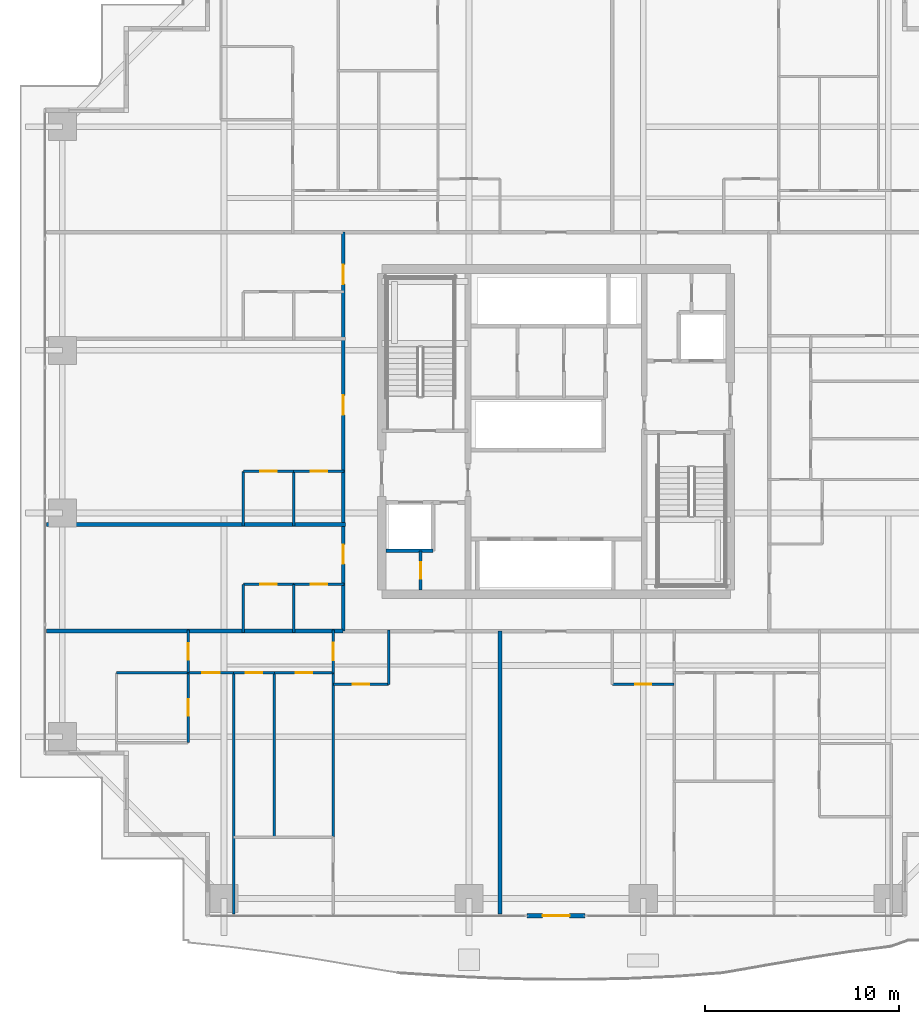
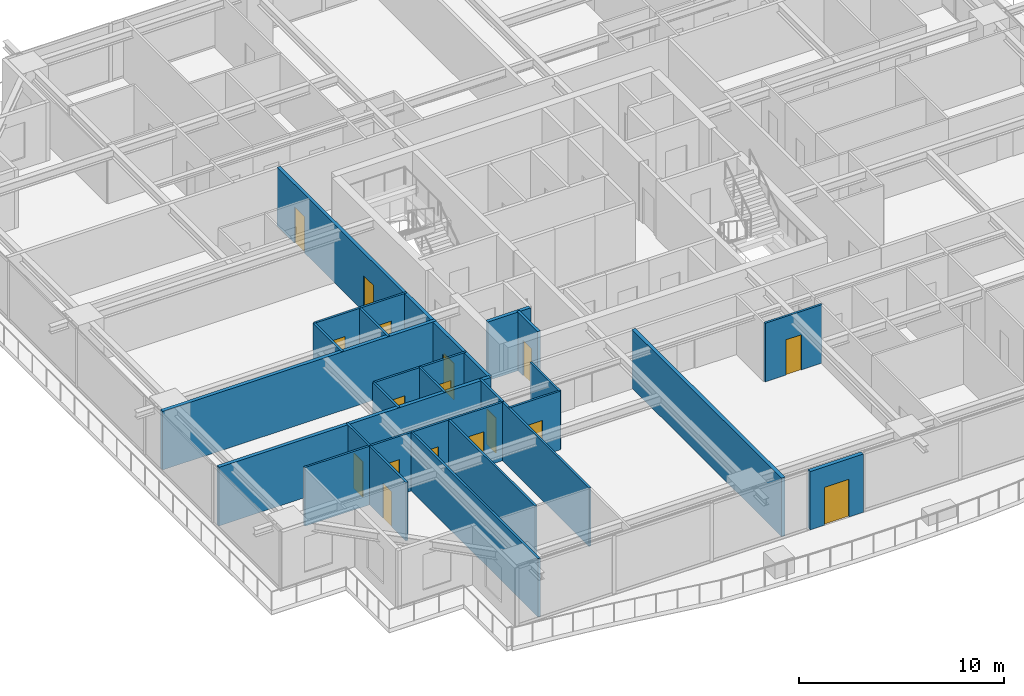
# One storey, part 27 of 39: 28 walls, 17 doors, 17 openings.
"""IFC4 building model written with IfcOpenShell, lengths in metres."""

from ifc_helpers import new_model, si_unit, direction, frame, frame_2d, origin, place, context, subcontext, project, spatial, rectangle, extrude, source, transform, mapped, material, layer, layer_set, type_object, element, fill, save


model = new_model("IFC4")

# Units and contexts
model_context = context("Model", 3, precision=1e-05, world=origin(), true_north=direction((0.0, 1.0)))
body_context = subcontext(model_context, "Body", "Model", "MODEL_VIEW")
ifc_project = project(units=[si_unit("LENGTHUNIT", "METRE"), si_unit("AREAUNIT", "SQUARE_METRE"), si_unit("VOLUMEUNIT", "CUBIC_METRE"), si_unit("PLANEANGLEUNIT", "RADIAN"), si_unit("MASSUNIT", "GRAM", prefix="KILO")], contexts=[model_context])

# Site, building, storey
site_placement = place(None, origin())
site = spatial("IfcSite", under=ifc_project, at=site_placement, CompositionType="ELEMENT")
building_placement = place(site_placement, origin())
building = spatial("IfcBuilding", under=site, at=building_placement, Name="Serunith Strait Residences", CompositionType="ELEMENT")
storey_placement = place(building_placement, frame((0.0, 0.0, 79.199951171875)))
storey = spatial("IfcBuildingStorey", under=building, at=storey_placement, Name="L19", CompositionType="ELEMENT", Elevation=79.199951171875)

# Wall, opening, door
ifc_material_1 = material(Name="Pale-Champagne Aluminium Insulated Panel", Category="aluminium")
ifc_layer_1 = layer(ifc_material_1, 0.219970703125, Name="Pale-Champagne Aluminium Insulated Panel")
ifc_layer_set_1 = layer_set([ifc_layer_1], Name="Pale-Champagne Aluminium Insulated Panel")
wall_type_1 = type_object("IfcWallType", Name="EW-ALUM-220", PredefinedType="ELEMENTEDWALL", material=ifc_layer_set_1)
wall_1_placement = place(storey_placement, frame((30.89990234375, 0.199951171875, 0.0), z_axis=(0.0, 0.0, 1.0), x_axis=(1.0, 0.0, 0.0)))
wall_1 = element("IfcWall", 1, at=wall_1_placement, inside=storey, type_object=wall_type_1, Name="L19 S Facade Pier Wall", PredefinedType="ELEMENTEDWALL", context=body_context, shape_type="SweptSolid", body=[
    extrude(rectangle(XDim=3.0, YDim=0.219970703125, at=frame_2d((1.5, 0.0))), origin(), (0.0, 0.0, 1.0), 3.47509765625),
])
opening_1_placement = place(wall_1_placement, frame((0.800048828125, 0.0, 0.0)))
opening_1 = element("IfcOpeningElement", 2, at=opening_1_placement, cuts=wall_1, Name="Opening ED-04", PredefinedType="OPENING", context=body_context, shape_type="SweptSolid", body=[
    extrude(rectangle(XDim=1.39990234375, YDim=2.25, at=frame_2d((0.699951171875, 1.125))), frame((0.0, 0.1201171875, 0.0), z_axis=(0.0, -1.0, 0.0), x_axis=(1.0, 0.0, 0.0)), (0.0, 0.0, 1.0), 0.239990234375),
])
ifc_material_2 = material(Name="Thermally-Broken Aluminium Sliding Balcony Door", Category="aluminium")
door_type_1 = type_object("IfcDoorType", Name="ED-BALC-1400", OperationType="NOTDEFINED", PredefinedType="DOOR", material=ifc_material_2)
shared_shape_1 = source(origin(), body_context, "Body", "SweptSolid", [
    extrude(rectangle(XDim=1.39990234375, YDim=2.25, at=frame_2d((0.699951171875, 1.125))), frame((0.0, 0.02490234375, 0.0), z_axis=(0.0, -1.0, 0.0), x_axis=(1.0, 0.0, 0.0)), (0.0, 0.0, 1.0), 0.050048828125),
])
door_1_placement = place(opening_1_placement, origin())
door_1 = element("IfcDoor", 3, at=door_1_placement, inside=storey, type_object=door_type_1, Name="L19 S Vertical-Forest Balcony Door", OperationType="SLIDING_TO_LEFT", OverallHeight=2.25, OverallWidth=1.39990234375, PredefinedType="DOOR", context=body_context, shape_type="MappedRepresentation", body=[
    mapped(shared_shape_1, transform((0.0, 0.0, 0.0), scale=1.0)),
])
fill(opening_1, door_1)

ifc_material_3 = material(Name="Fire-rated masonry service closet wall", Category="masonry")
ifc_layer_2 = layer(ifc_material_3, 0.14990234375, Name="Fire-rated masonry service closet wall")
ifc_layer_set_2 = layer_set([ifc_layer_2], Name="Fire-rated masonry service closet wall")
wall_type_2 = type_object("IfcWallType", Name="IW-BOH-150", PredefinedType="PARTITIONING", material=ifc_layer_set_2)
wall_2_placement = place(storey_placement, frame((25.39990234375, 17.02490234375, 0.0), z_axis=(0.0, 0.0, 1.0), x_axis=(0.0, 1.0, 0.0)))
wall_2 = element("IfcWall", 4, at=wall_2_placement, inside=storey, type_object=wall_type_2, Name="L19 Partition Wall 012", PredefinedType="PARTITIONING", context=body_context, shape_type="SweptSolid", body=[
    extrude(rectangle(XDim=2.025146484375, YDim=0.14990234375, at=frame_2d((1.0126953125, 0.0))), origin(), (0.0, 0.0, 1.0), 3.489990234375),
])
opening_2_placement = place(wall_2_placement, frame((0.587890625, 0.0, 0.0)))
opening_2 = element("IfcOpeningElement", 5, at=opening_2_placement, cuts=wall_2, Name="Opening FD-850", PredefinedType="OPENING", context=body_context, shape_type="SweptSolid", body=[
    extrude(rectangle(XDim=0.85009765625, YDim=2.10009765625, at=frame_2d((0.425048828125, 1.050048828125))), frame((0.0, 0.0849609375, 0.0), z_axis=(0.0, -1.0, 0.0), x_axis=(1.0, 0.0, 0.0)), (0.0, 0.0, 1.0), 0.169921875),
])
ifc_material_4 = material(Name="Powder-coated steel service closet door", Category="steel")
door_type_2 = type_object("IfcDoorType", Name="FD-BOH-850", OperationType="NOTDEFINED", PredefinedType="DOOR", material=ifc_material_4)
shared_shape_2 = source(origin(), body_context, "Body", "SweptSolid", [
    extrude(rectangle(XDim=0.85009765625, YDim=2.10009765625, at=frame_2d((0.425048828125, 1.050048828125))), frame((0.0, 0.02490234375, 0.0), z_axis=(0.0, -1.0, 0.0), x_axis=(1.0, 0.0, 0.0)), (0.0, 0.0, 1.0), 0.050048828125),
])
door_2_placement = place(opening_2_placement, origin())
door_2 = element("IfcDoor", 6, at=door_2_placement, inside=storey, type_object=door_type_2, Name="L19 Sprinkler Plant Door", OperationType="SINGLE_SWING_LEFT", OverallHeight=2.10009765625, OverallWidth=0.85009765625, PredefinedType="DOOR", context=body_context, shape_type="MappedRepresentation", body=[
    mapped(shared_shape_2, transform((0.0, 0.0, 0.0), scale=1.0)),
])
fill(opening_2, door_2)

# Wall, openings, doors
ifc_material_5 = material(Name="Fire-rated acoustic gypsum partition")
ifc_layer_3 = layer(ifc_material_5, 0.179931640625, Name="Fire-rated acoustic gypsum partition")
ifc_layer_set_3 = layer_set([ifc_layer_3], Name="Fire-rated acoustic gypsum partition")
wall_type_3 = type_object("IfcWallType", Name="IW-CORR-180", PredefinedType="PARTITIONING", material=ifc_layer_set_3)
wall_3_placement = place(storey_placement, frame((21.39990234375, 14.89990234375, 0.0), z_axis=(0.0, 0.0, 1.0), x_axis=(0.0, 1.0, 0.0)))
wall_3 = element("IfcWall", 7, at=wall_3_placement, inside=storey, type_object=wall_type_3, Name="L19 Partition Wall 027", PredefinedType="PARTITIONING", context=body_context, shape_type="SweptSolid", body=[
    extrude(rectangle(XDim=20.60009765625, YDim=0.179931640625, at=frame_2d((10.300048828125, 0.0))), origin(), (0.0, 0.0, 1.0), 3.489990234375),
])
opening_3_placement = place(wall_3_placement, frame((3.468994140625, 0.0, 0.0)))
opening_3 = element("IfcOpeningElement", 8, at=opening_3_placement, cuts=wall_3, Name="Opening D-APT1000", PredefinedType="OPENING", context=body_context, shape_type="SweptSolid", body=[
    extrude(rectangle(XDim=1.0, YDim=2.14990234375, at=frame_2d((0.5, 1.074951171875))), frame((0.0, 0.10009765625, 0.0), z_axis=(0.0, -1.0, 0.0), x_axis=(1.0, 0.0, 0.0)), (0.0, 0.0, 1.0), 0.199951171875),
])
opening_4_placement = place(wall_3_placement, frame((11.172119140625, 0.0, 0.0)))
opening_4 = element("IfcOpeningElement", 9, at=opening_4_placement, cuts=wall_3, Name="Opening D-APT1000", PredefinedType="OPENING", context=body_context, shape_type="SweptSolid", body=[
    extrude(rectangle(XDim=1.0, YDim=2.14990234375, at=frame_2d((0.5, 1.074951171875))), frame((0.0, 0.10009765625, 0.0), z_axis=(0.0, -1.0, 0.0), x_axis=(1.0, 0.0, 0.0)), (0.0, 0.0, 1.0), 0.199951171875),
])
opening_5_placement = place(wall_3_placement, frame((17.919921875, 0.0, 0.0)))
opening_5 = element("IfcOpeningElement", 10, at=opening_5_placement, cuts=wall_3, Name="Opening D-APT1000", PredefinedType="OPENING", context=body_context, shape_type="SweptSolid", body=[
    extrude(rectangle(XDim=1.0, YDim=2.14990234375, at=frame_2d((0.5, 1.074951171875))), frame((0.0, 0.10009765625, 0.0), z_axis=(0.0, -1.0, 0.0), x_axis=(1.0, 0.0, 0.0)), (0.0, 0.0, 1.0), 0.199951171875),
])
ifc_material_6 = material(Name="Solid timber engineered fire door", Category="wood")
door_type_3 = type_object("IfcDoorType", Name="ID-APT-1000", OperationType="NOTDEFINED", PredefinedType="DOOR", material=ifc_material_6)
shared_shape_3 = source(origin(), body_context, "Body", "SweptSolid", [
    extrude(rectangle(XDim=1.0, YDim=2.14990234375, at=frame_2d((0.5, 1.074951171875))), frame((0.0, 0.02490234375, 0.0), z_axis=(0.0, -1.0, 0.0), x_axis=(1.0, 0.0, 0.0)), (0.0, 0.0, 1.0), 0.050048828125),
])
door_3_placement = place(opening_3_placement, origin())
door_3 = element("IfcDoor", 11, at=door_3_placement, inside=storey, type_object=door_type_3, Name="L19 Unit 05 Entrance Door", OperationType="SINGLE_SWING_RIGHT", OverallHeight=2.14990234375, OverallWidth=1.0, PredefinedType="DOOR", context=body_context, shape_type="MappedRepresentation", body=[
    mapped(shared_shape_3, transform((0.0, 0.0, 0.0), scale=1.0)),
])
fill(opening_3, door_3)
door_4_placement = place(opening_4_placement, origin())
door_4 = element("IfcDoor", 12, at=door_4_placement, inside=storey, type_object=door_type_3, Name="L19 Unit 06 Entrance Door", OperationType="SINGLE_SWING_LEFT", OverallHeight=2.14990234375, OverallWidth=1.0, PredefinedType="DOOR", context=body_context, shape_type="MappedRepresentation", body=[
    mapped(shared_shape_3, transform((0.0, 0.0, 0.0), scale=1.0)),
])
fill(opening_4, door_4)
door_5_placement = place(opening_5_placement, origin())
door_5 = element("IfcDoor", 13, at=door_5_placement, inside=storey, type_object=door_type_3, Name="L19 Unit 07 Entrance Door", OperationType="SINGLE_SWING_RIGHT", OverallHeight=2.14990234375, OverallWidth=1.0, PredefinedType="DOOR", context=body_context, shape_type="MappedRepresentation", body=[
    mapped(shared_shape_3, transform((0.0, 0.0, 0.0), scale=1.0)),
])
fill(opening_5, door_5)

# Wall, opening, door
ifc_material_7 = material(Name="Lightweight steel-stud gypsum partition", Category="steel")
ifc_layer_4 = layer(ifc_material_7, 0.1201171875, Name="Lightweight steel-stud gypsum partition")
ifc_layer_set_4 = layer_set([ifc_layer_4], Name="Lightweight steel-stud gypsum partition")
wall_type_4 = type_object("IfcWallType", Name="IW-PART-120", PredefinedType="PARTITIONING", material=ifc_layer_set_4)
wall_4_placement = place(storey_placement, frame((20.89990234375, 12.14990234375, 0.0), z_axis=(0.0, 0.0, 1.0), x_axis=(1.0, 0.0, 0.0)))
wall_4 = element("IfcWall", 14, at=wall_4_placement, inside=storey, type_object=wall_type_4, Name="L19 Partition Wall 029", PredefinedType="PARTITIONING", context=body_context, shape_type="SweptSolid", body=[
    extrude(rectangle(XDim=2.85009765625, YDim=0.1201171875, at=frame_2d((1.425048828125, 0.0))), origin(), (0.0, 0.0, 1.0), 3.489990234375),
])
opening_6_placement = place(wall_4_placement, frame((1.0, 0.0, 0.0)))
opening_6 = element("IfcOpeningElement", 15, at=opening_6_placement, cuts=wall_4, Name="Opening D-RM850", PredefinedType="OPENING", context=body_context, shape_type="SweptSolid", body=[
    extrude(rectangle(XDim=0.85009765625, YDim=2.10009765625, at=frame_2d((0.425048828125, 1.050048828125))), frame((0.0, 0.070068359375, 0.0), z_axis=(0.0, -1.0, 0.0), x_axis=(1.0, 0.0, 0.0)), (0.0, 0.0, 1.0), 0.14013671875),
])
ifc_material_8 = material(Name="Engineered timber flush study and kitchen door", Category="wood")
door_type_4 = type_object("IfcDoorType", Name="ID-ROOM-850", OperationType="NOTDEFINED", PredefinedType="DOOR", material=ifc_material_8)
door_6_placement = place(opening_6_placement, origin())
door_6 = element("IfcDoor", 16, at=door_6_placement, inside=storey, type_object=door_type_4, Name="L19 Kitchen 1901 Door", OperationType="SINGLE_SWING_RIGHT", OverallHeight=2.10009765625, OverallWidth=0.85009765625, PredefinedType="DOOR", context=body_context, shape_type="MappedRepresentation", body=[
    mapped(shared_shape_2, transform((0.0, 0.0, 0.0), scale=1.0)),
])
fill(opening_6, door_6)

# Wall
wall_5_placement = place(storey_placement, frame((23.75, 12.14990234375, 0.0), z_axis=(0.0, 0.0, 1.0), x_axis=(0.0, 1.0, 0.0)))
element("IfcWall", 17, at=wall_5_placement, inside=storey, type_object=wall_type_4, Name="L19 Partition Wall 030", PredefinedType="PARTITIONING", context=body_context, shape_type="SweptSolid", body=[
    extrude(rectangle(XDim=2.81005859375, YDim=0.1201171875, at=frame_2d((1.405029296875, 0.0))), origin(), (0.0, 0.0, 1.0), 3.489990234375),
])

# Wall, opening, door
wall_6_placement = place(storey_placement, frame((20.89990234375, 12.75, 0.0), z_axis=(0.0, 0.0, 1.0), x_axis=(0.0, 1.0, 0.0)))
wall_6 = element("IfcWall", 18, at=wall_6_placement, inside=storey, type_object=wall_type_4, Name="L19 Partition Wall 031", PredefinedType="PARTITIONING", context=body_context, shape_type="SweptSolid", body=[
    extrude(rectangle(XDim=2.2099609375, YDim=0.1201171875, at=frame_2d((1.10498046875, 0.0))), origin(), (0.0, 0.0, 1.0), 3.489990234375),
])
opening_7_placement = place(wall_6_placement, frame((0.655029296875, 0.0, 0.0)))
opening_7 = element("IfcOpeningElement", 19, at=opening_7_placement, cuts=wall_6, Name="Opening D-RM900", PredefinedType="OPENING", context=body_context, shape_type="SweptSolid", body=[
    extrude(rectangle(XDim=0.89990234375, YDim=2.10009765625, at=frame_2d((0.449951171875, 1.050048828125))), frame((0.0, 0.070068359375, 0.0), z_axis=(0.0, -1.0, 0.0), x_axis=(1.0, 0.0, 0.0)), (0.0, 0.0, 1.0), 0.14013671875),
])
ifc_material_9 = material(Name="Engineered timber flush bedroom door", Category="wood")
door_type_5 = type_object("IfcDoorType", Name="ID-ROOM-900", OperationType="NOTDEFINED", PredefinedType="DOOR", material=ifc_material_9)
shared_shape_4 = source(origin(), body_context, "Body", "SweptSolid", [
    extrude(rectangle(XDim=0.89990234375, YDim=2.10009765625, at=frame_2d((0.449951171875, 1.050048828125))), frame((0.0, 0.02490234375, 0.0), z_axis=(0.0, -1.0, 0.0), x_axis=(1.0, 0.0, 0.0)), (0.0, 0.0, 1.0), 0.050048828125),
])
door_7_placement = place(opening_7_placement, origin())
door_7 = element("IfcDoor", 20, at=door_7_placement, inside=storey, type_object=door_type_5, Name="L19 Hall W 1901 Door", OperationType="SINGLE_SWING_LEFT", OverallHeight=2.10009765625, OverallWidth=0.89990234375, PredefinedType="DOOR", context=body_context, shape_type="MappedRepresentation", body=[
    mapped(shared_shape_4, transform((0.0, 0.0, 0.0), scale=1.0)),
])
fill(opening_7, door_7)

# Walls
wall_7_placement = place(storey_placement, frame((20.89990234375, 4.260009765625, 0.0), z_axis=(0.0, 0.0, 1.0), x_axis=(0.0, 1.0, 0.0)))
element("IfcWall", 21, at=wall_7_placement, inside=storey, type_object=wall_type_4, Name="L19 Partition Wall 033", PredefinedType="PARTITIONING", context=body_context, shape_type="SweptSolid", body=[
    extrude(rectangle(XDim=8.488037109375, YDim=0.1201171875, at=frame_2d((4.244140625, 0.0))), origin(), (0.0, 0.0, 1.0), 3.489990234375),
])
wall_8_placement = place(storey_placement, frame((15.75, 0.294921875, 0.0), z_axis=(0.0, 0.0, 1.0), x_axis=(0.0, 1.0, 0.0)))
element("IfcWall", 22, at=wall_8_placement, inside=storey, type_object=wall_type_4, Name="L19 Partition Wall 035", PredefinedType="PARTITIONING", context=body_context, shape_type="SweptSolid", body=[
    extrude(rectangle(XDim=12.455078125, YDim=0.1201171875, at=frame_2d((6.2275390625, 0.0))), origin(), (0.0, 0.0, 1.0), 3.489990234375),
])
wall_9_placement = place(storey_placement, frame((17.85009765625, 4.258056640625, 0.0), z_axis=(0.0, 0.0, 1.0), x_axis=(0.0, 1.0, 0.0)))
element("IfcWall", 23, at=wall_9_placement, inside=storey, type_object=wall_type_4, Name="L19 Partition Wall 036", PredefinedType="PARTITIONING", context=body_context, shape_type="SweptSolid", body=[
    extrude(rectangle(XDim=8.491943359375, YDim=0.1201171875, at=frame_2d((4.24609375, 0.0))), origin(), (0.0, 0.0, 1.0), 3.489990234375),
])

# Wall, opening, door
wall_10_placement = place(storey_placement, frame((15.75, 12.75, 0.0), z_axis=(0.0, 0.0, 1.0), x_axis=(1.0, 0.0, 0.0)))
wall_10 = element("IfcWall", 24, at=wall_10_placement, inside=storey, type_object=wall_type_4, Name="L19 Partition Wall 037", PredefinedType="PARTITIONING", context=body_context, shape_type="SweptSolid", body=[
    extrude(rectangle(XDim=2.10009765625, YDim=0.1201171875, at=frame_2d((1.050048828125, 0.0))), origin(), (0.0, 0.0, 1.0), 3.489990234375),
])
opening_8_placement = place(wall_10_placement, frame((0.625, 0.0, 0.0)))
opening_8 = element("IfcOpeningElement", 25, at=opening_8_placement, cuts=wall_10, Name="Opening D-BTH850", PredefinedType="OPENING", context=body_context, shape_type="SweptSolid", body=[
    extrude(rectangle(XDim=0.85009765625, YDim=2.10009765625, at=frame_2d((0.425048828125, 1.050048828125))), frame((0.0, 0.070068359375, 0.0), z_axis=(0.0, -1.0, 0.0), x_axis=(1.0, 0.0, 0.0)), (0.0, 0.0, 1.0), 0.14013671875),
])
ifc_material_10 = material(Name="Moisture-resistant timber bathroom door", Category="wood")
door_type_6 = type_object("IfcDoorType", Name="ID-BATH-850", OperationType="NOTDEFINED", PredefinedType="DOOR", material=ifc_material_10)
door_8_placement = place(opening_8_placement, origin())
door_8 = element("IfcDoor", 26, at=door_8_placement, inside=storey, type_object=door_type_6, Name="L19 Bathroom 1901 Door", OperationType="SINGLE_SWING_LEFT", OverallHeight=2.10009765625, OverallWidth=0.85009765625, PredefinedType="DOOR", context=body_context, shape_type="MappedRepresentation", body=[
    mapped(shared_shape_2, transform((0.0, 0.0, 0.0), scale=1.0)),
])
fill(opening_8, door_8)

wall_11_placement = place(storey_placement, frame((17.85205078125, 12.75, 0.0), z_axis=(0.0, 0.0, 1.0), x_axis=(1.0, 0.0, 0.0)))
wall_11 = element("IfcWall", 27, at=wall_11_placement, inside=storey, type_object=wall_type_4, Name="L19 Partition Wall 038", PredefinedType="PARTITIONING", context=body_context, shape_type="SweptSolid", body=[
    extrude(rectangle(XDim=3.0478515625, YDim=0.1201171875, at=frame_2d((1.52392578125, 0.0))), origin(), (0.0, 0.0, 1.0), 3.489990234375),
])
opening_9_placement = place(wall_11_placement, frame((1.09912109375, 0.0, 0.0)))
opening_9 = element("IfcOpeningElement", 28, at=opening_9_placement, cuts=wall_11, Name="Opening D-RM850", PredefinedType="OPENING", context=body_context, shape_type="SweptSolid", body=[
    extrude(rectangle(XDim=0.85009765625, YDim=2.10009765625, at=frame_2d((0.425048828125, 1.050048828125))), frame((0.0, 0.070068359375, 0.0), z_axis=(0.0, -1.0, 0.0), x_axis=(1.0, 0.0, 0.0)), (0.0, 0.0, 1.0), 0.14013671875),
])
door_9_placement = place(opening_9_placement, origin())
door_9 = element("IfcDoor", 29, at=door_9_placement, inside=storey, type_object=door_type_4, Name="L19 Study 1901 Door", OperationType="SINGLE_SWING_RIGHT", OverallHeight=2.10009765625, OverallWidth=0.85009765625, PredefinedType="DOOR", context=body_context, shape_type="MappedRepresentation", body=[
    mapped(shared_shape_2, transform((0.0, 0.0, 0.0), scale=1.0)),
])
fill(opening_9, door_9)

wall_12_placement = place(storey_placement, frame((13.39990234375, 12.75, 0.0), z_axis=(0.0, 0.0, 1.0), x_axis=(1.0, 0.0, 0.0)))
wall_12 = element("IfcWall", 30, at=wall_12_placement, inside=storey, type_object=wall_type_4, Name="L19 Partition Wall 039", PredefinedType="PARTITIONING", context=body_context, shape_type="SweptSolid", body=[
    extrude(rectangle(XDim=2.34814453125, YDim=0.1201171875, at=frame_2d((1.174072265625, 0.0))), origin(), (0.0, 0.0, 1.0), 3.489990234375),
])
opening_10_placement = place(wall_12_placement, frame((0.72412109375, 0.0, 0.0)))
opening_10 = element("IfcOpeningElement", 31, at=opening_10_placement, cuts=wall_12, Name="Opening D-RM900", PredefinedType="OPENING", context=body_context, shape_type="SweptSolid", body=[
    extrude(rectangle(XDim=0.89990234375, YDim=2.10009765625, at=frame_2d((0.449951171875, 1.050048828125))), frame((0.0, 0.070068359375, 0.0), z_axis=(0.0, -1.0, 0.0), x_axis=(1.0, 0.0, 0.0)), (0.0, 0.0, 1.0), 0.14013671875),
])
door_10_placement = place(opening_10_placement, origin())
door_10 = element("IfcDoor", 32, at=door_10_placement, inside=storey, type_object=door_type_5, Name="L19 Master Bedroom W 1901 Door", OperationType="SINGLE_SWING_LEFT", OverallHeight=2.10009765625, OverallWidth=0.89990234375, PredefinedType="DOOR", context=body_context, shape_type="MappedRepresentation", body=[
    mapped(shared_shape_4, transform((0.0, 0.0, 0.0), scale=1.0)),
])
fill(opening_10, door_10)

# Wall
wall_13_placement = place(storey_placement, frame((9.699951171875, 12.75, 0.0), z_axis=(0.0, 0.0, 1.0), x_axis=(1.0, 0.0, 0.0)))
element("IfcWall", 33, at=wall_13_placement, inside=storey, type_object=wall_type_4, Name="L19 Partition Wall 042", PredefinedType="PARTITIONING", context=body_context, shape_type="SweptSolid", body=[
    extrude(rectangle(XDim=3.697998046875, YDim=0.1201171875, at=frame_2d((1.84912109375, 0.0))), origin(), (0.0, 0.0, 1.0), 3.489990234375),
])

# Wall, opening, door
wall_14_placement = place(storey_placement, frame((13.39990234375, 9.137939453125, 0.0), z_axis=(0.0, 0.0, 1.0), x_axis=(0.0, 1.0, 0.0)))
wall_14 = element("IfcWall", 34, at=wall_14_placement, inside=storey, type_object=wall_type_4, Name="L19 Partition Wall 043", PredefinedType="PARTITIONING", context=body_context, shape_type="SweptSolid", body=[
    extrude(rectangle(XDim=3.612060546875, YDim=0.1201171875, at=frame_2d((1.80615234375, 0.0))), origin(), (0.0, 0.0, 1.0), 3.489990234375),
])
opening_11_placement = place(wall_14_placement, frame((1.381103515625, 0.0, 0.0)))
opening_11 = element("IfcOpeningElement", 35, at=opening_11_placement, cuts=wall_14, Name="Opening D-BTH850", PredefinedType="OPENING", context=body_context, shape_type="SweptSolid", body=[
    extrude(rectangle(XDim=0.85009765625, YDim=2.10009765625, at=frame_2d((0.425048828125, 1.050048828125))), frame((0.0, 0.070068359375, 0.0), z_axis=(0.0, -1.0, 0.0), x_axis=(1.0, 0.0, 0.0)), (0.0, 0.0, 1.0), 0.14013671875),
])
door_11_placement = place(opening_11_placement, origin())
door_11 = element("IfcDoor", 36, at=door_11_placement, inside=storey, type_object=door_type_6, Name="L19 En-suite Bathroom W 1901 Door", OperationType="SINGLE_SWING_RIGHT", OverallHeight=2.10009765625, OverallWidth=0.85009765625, PredefinedType="DOOR", context=body_context, shape_type="MappedRepresentation", body=[
    mapped(shared_shape_2, transform((0.0, 0.0, 0.0), scale=1.0)),
])
fill(opening_11, door_11)

wall_15_placement = place(storey_placement, frame((13.39990234375, 12.751953125, 0.0), z_axis=(0.0, 0.0, 1.0), x_axis=(0.0, 1.0, 0.0)))
wall_15 = element("IfcWall", 37, at=wall_15_placement, inside=storey, type_object=wall_type_4, Name="L19 Partition Wall 044", PredefinedType="PARTITIONING", context=body_context, shape_type="SweptSolid", body=[
    extrude(rectangle(XDim=2.2080078125, YDim=0.1201171875, at=frame_2d((1.10400390625, 0.0))), origin(), (0.0, 0.0, 1.0), 3.489990234375),
])
opening_12_placement = place(wall_15_placement, frame((0.678955078125, 0.0, 0.0)))
opening_12 = element("IfcOpeningElement", 38, at=opening_12_placement, cuts=wall_15, Name="Opening D-RM850", PredefinedType="OPENING", context=body_context, shape_type="SweptSolid", body=[
    extrude(rectangle(XDim=0.85009765625, YDim=2.10009765625, at=frame_2d((0.425048828125, 1.050048828125))), frame((0.0, 0.070068359375, 0.0), z_axis=(0.0, -1.0, 0.0), x_axis=(1.0, 0.0, 0.0)), (0.0, 0.0, 1.0), 0.14013671875),
])
door_12_placement = place(opening_12_placement, origin())
door_12 = element("IfcDoor", 39, at=door_12_placement, inside=storey, type_object=door_type_4, Name="L19 Wardrobe W 1901 Door", OperationType="SINGLE_SWING_LEFT", OverallHeight=2.10009765625, OverallWidth=0.85009765625, PredefinedType="DOOR", context=body_context, shape_type="MappedRepresentation", body=[
    mapped(shared_shape_2, transform((0.0, 0.0, 0.0), scale=1.0)),
])
fill(opening_12, door_12)

wall_16_placement = place(storey_placement, frame((35.300048828125, 12.14990234375, 0.0), z_axis=(0.0, 0.0, 1.0), x_axis=(1.0, 0.0, 0.0)))
wall_16 = element("IfcWall", 40, at=wall_16_placement, inside=storey, type_object=wall_type_4, Name="L19 Partition Wall 045", PredefinedType="PARTITIONING", context=body_context, shape_type="SweptSolid", body=[
    extrude(rectangle(XDim=3.199951171875, YDim=0.1201171875, at=frame_2d((1.60009765625, 0.0))), origin(), (0.0, 0.0, 1.0), 3.489990234375),
])
opening_13_placement = place(wall_16_placement, frame((1.175048828125, 0.0, 0.0)))
opening_13 = element("IfcOpeningElement", 41, at=opening_13_placement, cuts=wall_16, Name="Opening D-RM850", PredefinedType="OPENING", context=body_context, shape_type="SweptSolid", body=[
    extrude(rectangle(XDim=0.85009765625, YDim=2.10009765625, at=frame_2d((0.425048828125, 1.050048828125))), frame((0.0, 0.070068359375, 0.0), z_axis=(0.0, -1.0, 0.0), x_axis=(1.0, 0.0, 0.0)), (0.0, 0.0, 1.0), 0.14013671875),
])
door_13_placement = place(opening_13_placement, origin())
door_13 = element("IfcDoor", 42, at=door_13_placement, inside=storey, type_object=door_type_4, Name="L19 Kitchen 1902 Door", OperationType="SINGLE_SWING_RIGHT", OverallHeight=2.10009765625, OverallWidth=0.85009765625, PredefinedType="DOOR", context=body_context, shape_type="MappedRepresentation", body=[
    mapped(shared_shape_2, transform((0.0, 0.0, 0.0), scale=1.0)),
])
fill(opening_13, door_13)

wall_17_placement = place(storey_placement, frame((16.25, 17.320068359375, 0.0), z_axis=(0.0, 0.0, 1.0), x_axis=(1.0, 0.0, 0.0)))
wall_17 = element("IfcWall", 43, at=wall_17_placement, inside=storey, type_object=wall_type_4, Name="L19 Partition Wall 095", PredefinedType="PARTITIONING", context=body_context, shape_type="SweptSolid", body=[
    extrude(rectangle(XDim=2.60009765625, YDim=0.1201171875, at=frame_2d((1.300048828125, 0.0))), origin(), (0.0, 0.0, 1.0), 3.489990234375),
])
opening_14_placement = place(wall_17_placement, frame((0.875, 0.0, 0.0)))
opening_14 = element("IfcOpeningElement", 44, at=opening_14_placement, cuts=wall_17, Name="Opening D-RM850", PredefinedType="OPENING", context=body_context, shape_type="SweptSolid", body=[
    extrude(rectangle(XDim=0.85009765625, YDim=2.10009765625, at=frame_2d((0.425048828125, 1.050048828125))), frame((0.0, 0.070068359375, 0.0), z_axis=(0.0, -1.0, 0.0), x_axis=(1.0, 0.0, 0.0)), (0.0, 0.0, 1.0), 0.14013671875),
])
door_14_placement = place(opening_14_placement, origin())
door_14 = element("IfcDoor", 45, at=door_14_placement, inside=storey, type_object=door_type_4, Name="L19 Kitchen 1905 Door", OperationType="SINGLE_SWING_RIGHT", OverallHeight=2.10009765625, OverallWidth=0.85009765625, PredefinedType="DOOR", context=body_context, shape_type="MappedRepresentation", body=[
    mapped(shared_shape_2, transform((0.0, 0.0, 0.0), scale=1.0)),
])
fill(opening_14, door_14)

wall_18_placement = place(storey_placement, frame((18.85205078125, 17.320068359375, 0.0), z_axis=(0.0, 0.0, 1.0), x_axis=(1.0, 0.0, 0.0)))
wall_18 = element("IfcWall", 46, at=wall_18_placement, inside=storey, type_object=wall_type_4, Name="L19 Partition Wall 096", PredefinedType="PARTITIONING", context=body_context, shape_type="SweptSolid", body=[
    extrude(rectangle(XDim=2.60791015625, YDim=0.1201171875, at=frame_2d((1.303955078125, 0.0))), origin(), (0.0, 0.0, 1.0), 3.489990234375),
])
opening_15_placement = place(wall_18_placement, frame((0.87890625, 0.0, 0.0)))
opening_15 = element("IfcOpeningElement", 47, at=opening_15_placement, cuts=wall_18, Name="Opening D-BTH850", PredefinedType="OPENING", context=body_context, shape_type="SweptSolid", body=[
    extrude(rectangle(XDim=0.85009765625, YDim=2.10009765625, at=frame_2d((0.425048828125, 1.050048828125))), frame((0.0, 0.070068359375, 0.0), z_axis=(0.0, -1.0, 0.0), x_axis=(1.0, 0.0, 0.0)), (0.0, 0.0, 1.0), 0.14013671875),
])
door_15_placement = place(opening_15_placement, origin())
door_15 = element("IfcDoor", 48, at=door_15_placement, inside=storey, type_object=door_type_6, Name="L19 Bathroom 1905 Door", OperationType="SINGLE_SWING_LEFT", OverallHeight=2.10009765625, OverallWidth=0.85009765625, PredefinedType="DOOR", context=body_context, shape_type="MappedRepresentation", body=[
    mapped(shared_shape_2, transform((0.0, 0.0, 0.0), scale=1.0)),
])
fill(opening_15, door_15)

# Walls
for number, where, z_axis, x_axis, name in (
    (49, (18.85009765625, 14.840087890625, 0.0), (0.0, 0.0, 1.0), (0.0, 1.0, 0.0), "L19 Partition Wall 097"),
    (50, (16.25, 14.840087890625, 0.0), (0.0, 0.0, 1.0), (0.0, 1.0, 0.0), "L19 Partition Wall 098"),
):
    element("IfcWall", number, at=place(storey_placement, frame(where, z_axis=z_axis, x_axis=x_axis)), inside=storey, type_object=wall_type_4, Name=name, PredefinedType="PARTITIONING", context=body_context, shape_type="SweptSolid", body=[
        extrude(rectangle(XDim=2.47998046875, YDim=0.1201171875, at=frame_2d((1.239990234375, 0.0))), origin(), (0.0, 0.0, 1.0), 3.489990234375),
    ])

# Wall, opening, door
wall_19_placement = place(storey_placement, frame((16.25, 23.14990234375, 0.0), z_axis=(0.0, 0.0, 1.0), x_axis=(1.0, 0.0, 0.0)))
wall_19 = element("IfcWall", 51, at=wall_19_placement, inside=storey, type_object=wall_type_4, Name="L19 Partition Wall 099", PredefinedType="PARTITIONING", context=body_context, shape_type="SweptSolid", body=[
    extrude(rectangle(XDim=2.60009765625, YDim=0.1201171875, at=frame_2d((1.300048828125, 0.0))), origin(), (0.0, 0.0, 1.0), 3.489990234375),
])
opening_16_placement = place(wall_19_placement, frame((0.875, 0.0, 0.0)))
opening_16 = element("IfcOpeningElement", 52, at=opening_16_placement, cuts=wall_19, Name="Opening D-RM850", PredefinedType="OPENING", context=body_context, shape_type="SweptSolid", body=[
    extrude(rectangle(XDim=0.85009765625, YDim=2.10009765625, at=frame_2d((0.425048828125, 1.050048828125))), frame((0.0, 0.070068359375, 0.0), z_axis=(0.0, -1.0, 0.0), x_axis=(1.0, 0.0, 0.0)), (0.0, 0.0, 1.0), 0.14013671875),
])
door_16_placement = place(opening_16_placement, origin())
door_16 = element("IfcDoor", 53, at=door_16_placement, inside=storey, type_object=door_type_4, Name="L19 Kitchen 1906 Door", OperationType="SINGLE_SWING_RIGHT", OverallHeight=2.10009765625, OverallWidth=0.85009765625, PredefinedType="DOOR", context=body_context, shape_type="MappedRepresentation", body=[
    mapped(shared_shape_2, transform((0.0, 0.0, 0.0), scale=1.0)),
])
fill(opening_16, door_16)

wall_20_placement = place(storey_placement, frame((18.85205078125, 23.14990234375, 0.0), z_axis=(0.0, 0.0, 1.0), x_axis=(1.0, 0.0, 0.0)))
wall_20 = element("IfcWall", 54, at=wall_20_placement, inside=storey, type_object=wall_type_4, Name="L19 Partition Wall 100", PredefinedType="PARTITIONING", context=body_context, shape_type="SweptSolid", body=[
    extrude(rectangle(XDim=2.60791015625, YDim=0.1201171875, at=frame_2d((1.303955078125, 0.0))), origin(), (0.0, 0.0, 1.0), 3.489990234375),
])
opening_17_placement = place(wall_20_placement, frame((0.87890625, 0.0, 0.0)))
opening_17 = element("IfcOpeningElement", 55, at=opening_17_placement, cuts=wall_20, Name="Opening D-BTH850", PredefinedType="OPENING", context=body_context, shape_type="SweptSolid", body=[
    extrude(rectangle(XDim=0.85009765625, YDim=2.10009765625, at=frame_2d((0.425048828125, 1.050048828125))), frame((0.0, 0.070068359375, 0.0), z_axis=(0.0, -1.0, 0.0), x_axis=(1.0, 0.0, 0.0)), (0.0, 0.0, 1.0), 0.14013671875),
])
door_17_placement = place(opening_17_placement, origin())
door_17 = element("IfcDoor", 56, at=door_17_placement, inside=storey, type_object=door_type_6, Name="L19 Bathroom 1906 Door", OperationType="SINGLE_SWING_LEFT", OverallHeight=2.10009765625, OverallWidth=0.85009765625, PredefinedType="DOOR", context=body_context, shape_type="MappedRepresentation", body=[
    mapped(shared_shape_2, transform((0.0, 0.0, 0.0), scale=1.0)),
])
fill(opening_17, door_17)

# Walls
for number, where, z_axis, x_axis, name in (
    (57, (18.85009765625, 20.340087890625, 0.0), (0.0, 0.0, 1.0), (0.0, 1.0, 0.0), "L19 Partition Wall 101"),
    (58, (16.25, 20.340087890625, 0.0), (0.0, 0.0, 1.0), (0.0, 1.0, 0.0), "L19 Partition Wall 102"),
):
    element("IfcWall", number, at=place(storey_placement, frame(where, z_axis=z_axis, x_axis=x_axis)), inside=storey, type_object=wall_type_4, Name=name, PredefinedType="PARTITIONING", context=body_context, shape_type="SweptSolid", body=[
        extrude(rectangle(XDim=2.809814453125, YDim=0.1201171875, at=frame_2d((1.40478515625, 0.0))), origin(), (0.0, 0.0, 1.0), 3.489990234375),
    ])
ifc_material_11 = material(Name="Twin-stud acoustic gypsum board partition")
ifc_layer_5 = layer(ifc_material_11, 0.199951171875, Name="Twin-stud acoustic gypsum board partition")
ifc_layer_set_5 = layer_set([ifc_layer_5], Name="Twin-stud acoustic gypsum board partition")
wall_type_5 = type_object("IfcWallType", Name="IW-PARTY-200", PredefinedType="PARTITIONING", material=ifc_layer_set_5)
wall_21_placement = place(storey_placement, frame((29.5, 0.281982421875, 0.0), z_axis=(0.0, 0.0, 1.0), x_axis=(0.0, 1.0, 0.0)))
element("IfcWall", 59, at=wall_21_placement, inside=storey, type_object=wall_type_5, Name="L19 Partition Wall 017", PredefinedType="PARTITIONING", context=body_context, shape_type="SweptSolid", body=[
    extrude(rectangle(XDim=14.617919921875, YDim=0.199951171875, at=frame_2d((7.30908203125, 0.0))), origin(), (0.0, 0.0, 1.0), 3.489990234375),
])
wall_22_placement = place(storey_placement, frame((6.08203125, 20.39990234375, 0.0), z_axis=(0.0, 0.0, 1.0), x_axis=(1.0, 0.0, 0.0)))
element("IfcWall", 60, at=wall_22_placement, inside=storey, type_object=wall_type_5, Name="L19 Partition Wall 019", PredefinedType="PARTITIONING", context=body_context, shape_type="SweptSolid", body=[
    extrude(rectangle(XDim=15.43798828125, YDim=0.199951171875, at=frame_2d((7.718994140625, 0.0))), origin(), (0.0, 0.0, 1.0), 3.489990234375),
])
wall_23_placement = place(storey_placement, frame((6.08203125, 14.89990234375, 0.0), z_axis=(0.0, 0.0, 1.0), x_axis=(1.0, 0.0, 0.0)))
element("IfcWall", 61, at=wall_23_placement, inside=storey, type_object=wall_type_5, Name="L19 Partition Wall 021", PredefinedType="PARTITIONING", context=body_context, shape_type="SweptSolid", body=[
    extrude(rectangle(XDim=15.31787109375, YDim=0.199951171875, at=frame_2d((7.658935546875, 0.0))), origin(), (0.0, 0.0, 1.0), 3.489990234375),
])
ifc_material_12 = material(Name="Autoclaved aerated concrete blockwork", Category="masonry")
ifc_layer_6 = layer(ifc_material_12, 0.199951171875, Name="Autoclaved aerated concrete blockwork")
ifc_layer_set_6 = layer_set([ifc_layer_6], Name="Autoclaved aerated concrete blockwork")
wall_type_6 = type_object("IfcWallType", Name="IW-SHAFT-200", PredefinedType="STANDARD", material=ifc_layer_set_6)
wall_24_placement = place(storey_placement, frame((23.625, 19.050048828125, 0.0), z_axis=(0.0, 0.0, 1.0), x_axis=(1.0, 0.0, 0.0)))
element("IfcWall", 62, at=wall_24_placement, inside=storey, type_object=wall_type_6, Name="L19 Partition Wall 002", PredefinedType="STANDARD", context=body_context, shape_type="SweptSolid", body=[
    extrude(rectangle(XDim=2.425048828125, YDim=0.199951171875, at=frame_2d((1.21240234375, 0.0))), origin(), (0.0, 0.0, 1.0), 3.489990234375),
])

save(model, "model.ifc")
